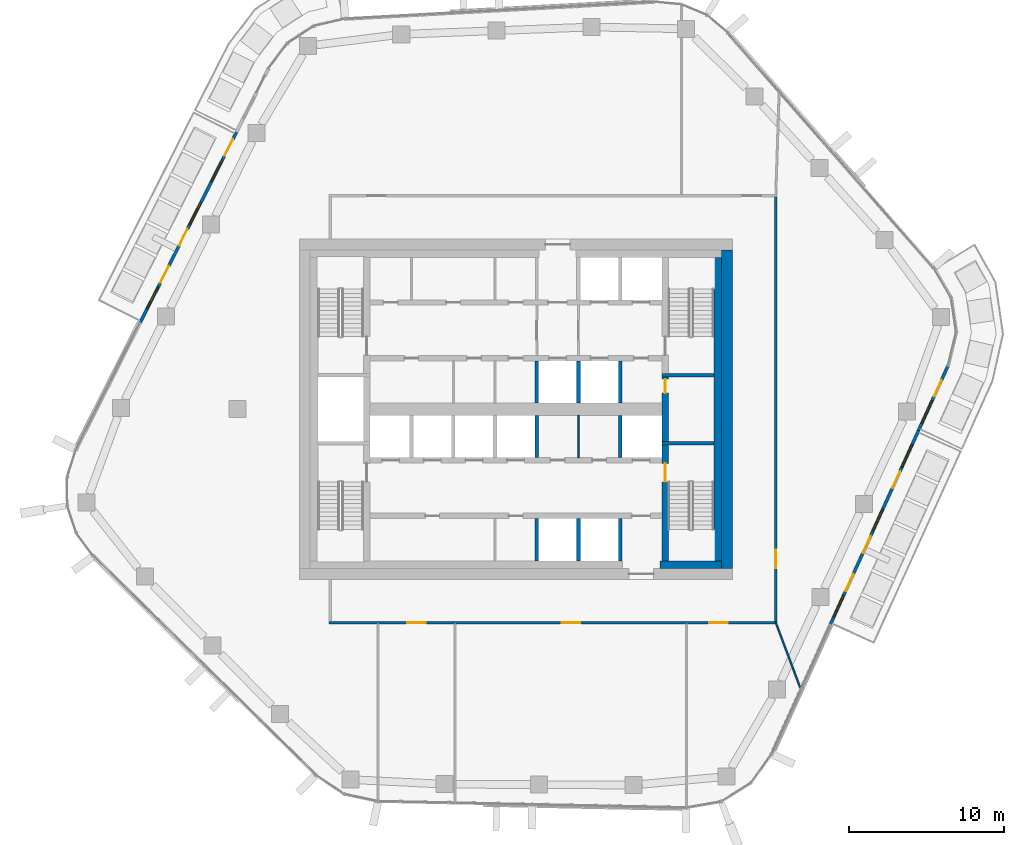
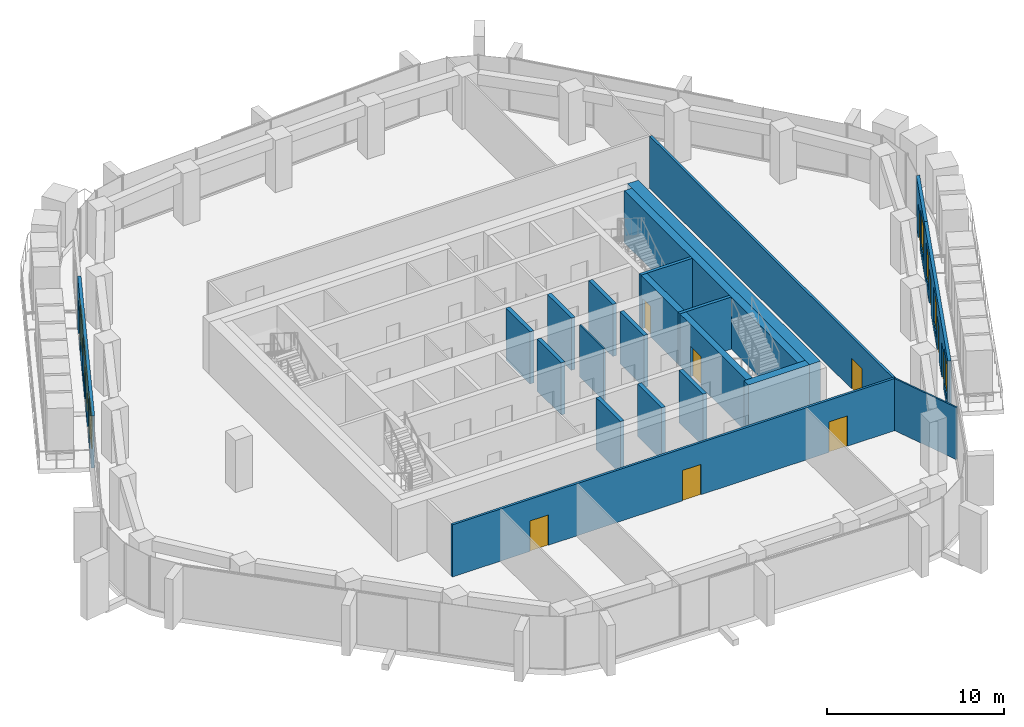
# One storey, part 12 of 21: 22 walls, 13 doors, 7 windows, 20 openings.
"""IFC4 building model written with IfcOpenShell, lengths in metres."""

from ifc_helpers import new_model, si_unit, direction, frame, frame_2d, origin, place, context, subcontext, project, spatial, rectangle, extrude, material, layer, layer_set, type_object, element, fill, save


model = new_model("IFC4")

# Units and contexts
model_context = context("Model", 3, precision=1e-05, world=origin(), true_north=direction((0.0, 1.0)))
body_context = subcontext(model_context, "Body", "Model", "MODEL_VIEW")
ifc_project = project(units=[si_unit("LENGTHUNIT", "METRE"), si_unit("AREAUNIT", "SQUARE_METRE"), si_unit("VOLUMEUNIT", "CUBIC_METRE"), si_unit("PLANEANGLEUNIT", "RADIAN"), si_unit("MASSUNIT", "GRAM", prefix="KILO")], contexts=[model_context])

# Site, building, storey
site_placement = place(None, origin())
site = spatial("IfcSite", under=ifc_project, at=site_placement, CompositionType="ELEMENT")
building_placement = place(site_placement, origin())
building = spatial("IfcBuilding", under=site, at=building_placement, Name="Dongbaek Canopy Tower", CompositionType="ELEMENT")
storey_placement = place(building_placement, frame((0.0, 0.0, 279.0)))
storey = spatial("IfcBuildingStorey", under=building, at=storey_placement, Name="L59", CompositionType="ELEMENT", Elevation=279.0)

# Walls
ifc_material_1 = material(Name="Concrete C70/85", Category="concrete")
ifc_layer_1 = layer(ifc_material_1, 0.699951171875)
ifc_layer_set_1 = layer_set([ifc_layer_1], Name="Core outer wall 700 Concrete C70/85")
wall_type_1 = type_object("IfcWallType", Name="Core outer wall 700 Concrete C70/85", PredefinedType="SHEAR", material=ifc_layer_set_1)
wall_1_placement = place(storey_placement, frame((13.64990234375, 10.300048828125, 0.0), z_axis=(0.0, 0.0, 1.0), x_axis=(0.0, -1.0, 0.0)))
element("IfcWall", 1, at=wall_1_placement, inside=storey, type_object=wall_type_1, Name="Core wall", PredefinedType="SHEAR", context=body_context, shape_type="SweptSolid", body=[
    extrude(rectangle(XDim=20.60009765625, YDim=0.699951171875, at=frame_2d((10.300048828125, 0.0))), origin(), (0.0, 0.0, 1.0), 3.60009765625),
])
ifc_material_2 = material(Name="Concrete C60/75", Category="concrete")
ifc_layer_2 = layer(ifc_material_2, 0.5)
ifc_layer_set_2 = layer_set([ifc_layer_2], Name="Core wall lining 500 Concrete C60/75")
wall_type_2 = type_object("IfcWallType", Name="Core wall lining 500 Concrete C60/75", PredefinedType="SHEAR", material=ifc_layer_set_2)
wall_2_placement = place(storey_placement, frame((13.300048828125, -10.050048828125, 0.0), z_axis=(0.0, 0.0, 1.0), x_axis=(-1.0, 0.0, 0.0)))
element("IfcWall", 2, at=wall_2_placement, inside=storey, type_object=wall_type_2, Name="Core wall lining", PredefinedType="SHEAR", context=body_context, shape_type="SweptSolid", body=[
    extrude(rectangle(XDim=4.0, YDim=0.5, at=frame_2d((2.0, 0.0))), origin(), (0.0, 0.0, 1.0), 3.60009765625),
])
wall_3_placement = place(storey_placement, frame((13.050048828125, 9.800048828125, 0.0), z_axis=(0.0, 0.0, 1.0), x_axis=(0.0, -1.0, 0.0)))
element("IfcWall", 3, at=wall_3_placement, inside=storey, type_object=wall_type_2, Name="Core wall lining", PredefinedType="SHEAR", context=body_context, shape_type="SweptSolid", body=[
    extrude(rectangle(XDim=19.60009765625, YDim=0.5, at=frame_2d((9.800048828125, 0.0))), origin(), (0.0, 0.0, 1.0), 3.60009765625),
])

# Wall, openings, doors
ifc_material_3 = material(Name="Gypsum board partition, steel stud, 2 x 15 mm fire board", Category="steel")
ifc_layer_3 = layer(ifc_material_3, 0.14990234375)
ifc_layer_set_3 = layer_set([ifc_layer_3], Name="Fire-rated partition 150 gypsum board")
wall_type_3 = type_object("IfcWallType", Name="Fire-rated partition 150 gypsum board", PredefinedType="PARTITIONING", material=ifc_layer_set_3)
wall_4_placement = place(storey_placement, frame((16.875, -13.800048828125, 0.0), z_axis=(0.0, 0.0, 1.0), x_axis=(-1.0, 0.0, 0.0)))
wall_4 = element("IfcWall", 4, at=wall_4_placement, inside=storey, type_object=wall_type_3, Name="Corridor partition", PredefinedType="PARTITIONING", context=body_context, shape_type="SweptSolid", body=[
    extrude(rectangle(XDim=28.949951171875, YDim=0.14990234375, at=frame_2d((14.47509765625, 0.0))), origin(), (0.0, 0.0, 1.0), 3.60009765625),
])
opening_1_placement = place(wall_4_placement, frame((22.69775390625, 0.0, 0.0)))
opening_1 = element("IfcOpeningElement", 5, at=opening_1_placement, cuts=wall_4, Name="Opening L59-D001", PredefinedType="OPENING", context=body_context, shape_type="SweptSolid", body=[
    extrude(rectangle(XDim=1.199951171875, YDim=2.10009765625, at=frame_2d((0.60009765625, 1.050048828125))), frame((0.0, 0.0849609375, 0.0), z_axis=(0.0, -1.0, 0.0), x_axis=(1.0, 0.0, 0.0)), (0.0, 0.0, 1.0), 0.169921875),
])
opening_2_placement = place(wall_4_placement, frame((12.727294921875, 0.0, 0.0)))
opening_2 = element("IfcOpeningElement", 6, at=opening_2_placement, cuts=wall_4, Name="Opening L59-D002", PredefinedType="OPENING", context=body_context, shape_type="SweptSolid", body=[
    extrude(rectangle(XDim=1.199951171875, YDim=2.10009765625, at=frame_2d((0.60009765625, 1.050048828125))), frame((0.0, 0.0849609375, 0.0), z_axis=(0.0, -1.0, 0.0), x_axis=(1.0, 0.0, 0.0)), (0.0, 0.0, 1.0), 0.169921875),
])
opening_3_placement = place(wall_4_placement, frame((3.16748046875, 0.0, 0.0)))
opening_3 = element("IfcOpeningElement", 7, at=opening_3_placement, cuts=wall_4, Name="Opening L59-D003", PredefinedType="OPENING", context=body_context, shape_type="SweptSolid", body=[
    extrude(rectangle(XDim=1.199951171875, YDim=2.10009765625, at=frame_2d((0.60009765625, 1.050048828125))), frame((0.0, 0.0849609375, 0.0), z_axis=(0.0, -1.0, 0.0), x_axis=(1.0, 0.0, 0.0)), (0.0, 0.0, 1.0), 0.169921875),
])
ifc_material_4 = material(Name="Timber veneered door leaf", Category="wood")
door_type_1 = type_object("IfcDoorType", Name="Room door 1200 x 2100", OperationType="SINGLE_SWING_LEFT", PredefinedType="DOOR", material=ifc_material_4)
door_1_placement = place(opening_1_placement, origin())
door_1 = element("IfcDoor", 8, at=door_1_placement, inside=storey, type_object=door_type_1, Name="Door L59-D001", OperationType="SINGLE_SWING_RIGHT", OverallHeight=2.10009765625, OverallWidth=1.199951171875, PredefinedType="DOOR", context=body_context, shape_type="SweptSolid", body=[
    extrude(rectangle(XDim=1.199951171875, YDim=2.10009765625, at=frame_2d((0.60009765625, 1.050048828125))), frame((0.0, 0.02490234375, 0.0), z_axis=(0.0, -1.0, 0.0), x_axis=(1.0, 0.0, 0.0)), (0.0, 0.0, 1.0), 0.050048828125),
])
fill(opening_1, door_1)
door_2_placement = place(opening_2_placement, origin())
door_2 = element("IfcDoor", 9, at=door_2_placement, inside=storey, type_object=door_type_1, Name="Door L59-D002", OperationType="SINGLE_SWING_LEFT", OverallHeight=2.10009765625, OverallWidth=1.199951171875, PredefinedType="DOOR", context=body_context, shape_type="SweptSolid", body=[
    extrude(rectangle(XDim=1.199951171875, YDim=2.10009765625, at=frame_2d((0.60009765625, 1.050048828125))), frame((0.0, 0.02490234375, 0.0), z_axis=(0.0, -1.0, 0.0), x_axis=(1.0, 0.0, 0.0)), (0.0, 0.0, 1.0), 0.050048828125),
])
fill(opening_2, door_2)
door_3_placement = place(opening_3_placement, origin())
door_3 = element("IfcDoor", 10, at=door_3_placement, inside=storey, type_object=door_type_1, Name="Door L59-D003", OperationType="SINGLE_SWING_RIGHT", OverallHeight=2.10009765625, OverallWidth=1.199951171875, PredefinedType="DOOR", context=body_context, shape_type="SweptSolid", body=[
    extrude(rectangle(XDim=1.199951171875, YDim=2.10009765625, at=frame_2d((0.60009765625, 1.050048828125))), frame((0.0, 0.02490234375, 0.0), z_axis=(0.0, -1.0, 0.0), x_axis=(1.0, 0.0, 0.0)), (0.0, 0.0, 1.0), 0.050048828125),
])
fill(opening_3, door_3)

# Wall, opening, door
wall_5_placement = place(storey_placement, frame((16.800048828125, 13.72509765625, 0.0), z_axis=(0.0, 0.0, 1.0), x_axis=(0.0, -1.0, 0.0)))
wall_5 = element("IfcWall", 11, at=wall_5_placement, inside=storey, type_object=wall_type_3, Name="Corridor partition", PredefinedType="PARTITIONING", context=body_context, shape_type="SweptSolid", body=[
    extrude(rectangle(XDim=27.4501953125, YDim=0.14990234375, at=frame_2d((13.72509765625, 0.0))), origin(), (0.0, 0.0, 1.0), 3.60009765625),
])
opening_4_placement = place(wall_5_placement, frame((22.803466796875, 0.0, 0.0)))
opening_4 = element("IfcOpeningElement", 12, at=opening_4_placement, cuts=wall_5, Name="Opening L59-D004", PredefinedType="OPENING", context=body_context, shape_type="SweptSolid", body=[
    extrude(rectangle(XDim=1.199951171875, YDim=2.10009765625, at=frame_2d((0.60009765625, 1.050048828125))), frame((0.0, 0.0849609375, 0.0), z_axis=(0.0, -1.0, 0.0), x_axis=(1.0, 0.0, 0.0)), (0.0, 0.0, 1.0), 0.169921875),
])
door_4_placement = place(opening_4_placement, origin())
door_4 = element("IfcDoor", 13, at=door_4_placement, inside=storey, type_object=door_type_1, Name="Door L59-D004", OperationType="SINGLE_SWING_LEFT", OverallHeight=2.10009765625, OverallWidth=1.199951171875, PredefinedType="DOOR", context=body_context, shape_type="SweptSolid", body=[
    extrude(rectangle(XDim=1.199951171875, YDim=2.10009765625, at=frame_2d((0.60009765625, 1.050048828125))), frame((0.0, 0.02490234375, 0.0), z_axis=(0.0, -1.0, 0.0), x_axis=(1.0, 0.0, 0.0)), (0.0, 0.0, 1.0), 0.050048828125),
])
fill(opening_4, door_4)

# Walls
ifc_material_5 = material(Name="Concrete C40/50", Category="concrete")
ifc_layer_4 = layer(ifc_material_5, 0.25)
ifc_layer_set_4 = layer_set([ifc_layer_4], Name="Lift shaft wall 250 Concrete C40/50")
wall_type_4 = type_object("IfcWallType", Name="Lift shaft wall 250 Concrete C40/50", PredefinedType="SOLIDWALL", material=ifc_layer_set_4)
for number, where, z_axis, x_axis, name in (
    (14, (6.75, -9.800048828125, 0.0), (0.0, 0.0, 1.0), (0.0, 1.0, 0.0), "Lift shaft wall"),
    (15, (6.75, -3.125, 0.0), (0.0, 0.0, 1.0), (0.0, 1.0, 0.0), "Lift shaft wall"),
    (16, (6.75, 0.39990234375, 0.0), (0.0, 0.0, 1.0), (0.0, 1.0, 0.0), "Lift shaft wall"),
    (17, (4.050048828125, -9.800048828125, 0.0), (0.0, 0.0, 1.0), (0.0, 1.0, 0.0), "Lift shaft wall"),
    (18, (4.050048828125, 0.39990234375, 0.0), (0.0, 0.0, 1.0), (0.0, 1.0, 0.0), "Lift shaft wall"),
    (19, (1.35009765625, -9.800048828125, 0.0), (0.0, 0.0, 1.0), (0.0, 1.0, 0.0), "Lift shaft wall"),
    (20, (1.35009765625, -3.125, 0.0), (0.0, 0.0, 1.0), (0.0, 1.0, 0.0), "Lift shaft wall"),
    (21, (1.35009765625, 0.39990234375, 0.0), (0.0, 0.0, 1.0), (0.0, 1.0, 0.0), "Lift shaft wall"),
):
    element("IfcWall", number, at=place(storey_placement, frame(where, z_axis=z_axis, x_axis=x_axis)), inside=storey, type_object=wall_type_4, Name=name, PredefinedType="SOLIDWALL", context=body_context, shape_type="SweptSolid", body=[
        extrude(rectangle(XDim=2.72509765625, YDim=0.25, at=frame_2d((1.362548828125, 0.0))), origin(), (0.0, 0.0, 1.0), 3.60009765625),
    ])
ifc_material_6 = material(Name="Gypsum board partition, steel stud, 2 x 12.5 mm board", Category="steel")
ifc_layer_5 = layer(ifc_material_6, 0.10009765625)
ifc_layer_set_5 = layer_set([ifc_layer_5], Name="Partition 100 gypsum board")
wall_type_5 = type_object("IfcWallType", Name="Partition 100 gypsum board", PredefinedType="PARTITIONING", material=ifc_layer_set_5)
wall_6_placement = place(storey_placement, frame((16.80029296875, -13.7998046875, 0.0), z_axis=(0.0, 0.0, 1.0), x_axis=(0.352127226584, -0.935952144235, 0.0)))
element("IfcWall", 22, at=wall_6_placement, inside=storey, type_object=wall_type_5, Name="Partition", PredefinedType="PARTITIONING", context=body_context, shape_type="SweptSolid", body=[
    extrude(rectangle(XDim=4.58349609375, YDim=0.10009765625, at=frame_2d((2.291748046875, 0.0))), origin(), (0.0, 0.0, 1.0), 3.60009765625),
])
wall_7_placement = place(storey_placement, frame((4.050048828125, -3.125, 0.0), z_axis=(0.0, 0.0, 1.0), x_axis=(0.0, 1.0, 0.0)))
element("IfcWall", 23, at=wall_7_placement, inside=storey, type_object=wall_type_5, Name="Core partition", PredefinedType="PARTITIONING", context=body_context, shape_type="SweptSolid", body=[
    extrude(rectangle(XDim=2.72509765625, YDim=0.10009765625, at=frame_2d((1.362548828125, 0.0))), origin(), (0.0, 0.0, 1.0), 3.60009765625),
])
ifc_material_7 = material(Name="Concrete C60/75", Category="concrete")
ifc_layer_6 = layer(ifc_material_7, 0.199951171875)
ifc_layer_set_6 = layer_set([ifc_layer_6], Name="Riser wall 200 Concrete C60/75")
wall_type_6 = type_object("IfcWallType", Name="Riser wall 200 Concrete C60/75", PredefinedType="SHEAR", material=ifc_layer_set_6)
for number, where, z_axis, x_axis, name in (
    (24, (9.449951171875, 2.199951171875, 0.0), (0.0, 0.0, 1.0), (1.0, 0.0, 0.0), "Riser wall"),
    (25, (9.449951171875, -2.199951171875, 0.0), (0.0, 0.0, 1.0), (1.0, 0.0, 0.0), "Riser wall"),
):
    element("IfcWall", number, at=place(storey_placement, frame(where, z_axis=z_axis, x_axis=x_axis)), inside=storey, type_object=wall_type_6, Name=name, PredefinedType="SHEAR", context=body_context, shape_type="SweptSolid", body=[
        extrude(rectangle(XDim=3.35009765625, YDim=0.199951171875, at=frame_2d((1.675048828125, 0.0))), origin(), (0.0, 0.0, 1.0), 3.60009765625),
    ])

# Wall, opening, door
ifc_material_8 = material(Name="Concrete C60/75", Category="concrete")
ifc_layer_7 = layer(ifc_material_8, 0.39990234375)
ifc_layer_set_7 = layer_set([ifc_layer_7], Name="Stair wall 400 Concrete C60/75")
wall_type_7 = type_object("IfcWallType", Name="Stair wall 400 Concrete C60/75", PredefinedType="SHEAR", material=ifc_layer_set_7)
wall_8_placement = place(storey_placement, frame((9.64990234375, -2.300048828125, 0.0), z_axis=(0.0, 0.0, 1.0), x_axis=(0.0, -1.0, 0.0)))
wall_8 = element("IfcWall", 26, at=wall_8_placement, inside=storey, type_object=wall_type_7, Name="Stair wall", PredefinedType="SHEAR", context=body_context, shape_type="SweptSolid", body=[
    extrude(rectangle(XDim=7.5, YDim=0.39990234375, at=frame_2d((3.75, 0.0))), origin(), (0.0, 0.0, 1.0), 3.60009765625),
])
opening_5_placement = place(wall_8_placement, frame((1.199951171875, 0.0, 0.0)))
opening_5 = element("IfcOpeningElement", 27, at=opening_5_placement, cuts=wall_8, Name="Opening L59-D034", PredefinedType="OPENING", context=body_context, shape_type="SweptSolid", body=[
    extrude(rectangle(XDim=1.199951171875, YDim=2.10009765625, at=frame_2d((0.60009765625, 1.050048828125))), frame((0.0, 0.2099609375, 0.0), z_axis=(0.0, -1.0, 0.0), x_axis=(1.0, 0.0, 0.0)), (0.0, 0.0, 1.0), 0.419921875),
])
ifc_material_9 = material(Name="Steel", Category="steel")
door_type_2 = type_object("IfcDoorType", Name="Stair door 1200 x 2100", OperationType="SINGLE_SWING_LEFT", PredefinedType="DOOR", material=ifc_material_9)
door_5_placement = place(opening_5_placement, origin())
door_5 = element("IfcDoor", 28, at=door_5_placement, inside=storey, type_object=door_type_2, Name="Stair B door", OperationType="SINGLE_SWING_RIGHT", OverallHeight=2.10009765625, OverallWidth=1.199951171875, PredefinedType="DOOR", context=body_context, shape_type="SweptSolid", body=[
    extrude(rectangle(XDim=1.199951171875, YDim=2.10009765625, at=frame_2d((0.60009765625, 1.050048828125))), frame((0.0, 0.02490234375, 0.0), z_axis=(0.0, -1.0, 0.0), x_axis=(1.0, 0.0, 0.0)), (0.0, 0.0, 1.0), 0.050048828125),
])
fill(opening_5, door_5)

wall_9_placement = place(storey_placement, frame((9.64990234375, 2.10009765625, 0.0), z_axis=(0.0, 0.0, 1.0), x_axis=(0.0, -1.0, 0.0)))
wall_9 = element("IfcWall", 29, at=wall_9_placement, inside=storey, type_object=wall_type_7, Name="Stair wall", PredefinedType="SHEAR", context=body_context, shape_type="SweptSolid", body=[
    extrude(rectangle(XDim=4.2001953125, YDim=0.39990234375, at=frame_2d((2.10009765625, 0.0))), origin(), (0.0, 0.0, 1.0), 3.60009765625),
])
opening_6_placement = place(wall_9_placement, frame((0.14990234375, 0.0, 0.0)))
opening_6 = element("IfcOpeningElement", 30, at=opening_6_placement, cuts=wall_9, Name="Opening L59-D007", PredefinedType="OPENING", context=body_context, shape_type="SweptSolid", body=[
    extrude(rectangle(XDim=0.89990234375, YDim=2.10009765625, at=frame_2d((0.449951171875, 1.050048828125))), frame((0.0, 0.2099609375, 0.0), z_axis=(0.0, -1.0, 0.0), x_axis=(1.0, 0.0, 0.0)), (0.0, 0.0, 1.0), 0.419921875),
])
ifc_material_10 = material(Name="Steel", Category="steel")
door_type_3 = type_object("IfcDoorType", Name="Core room door 900 x 2100", OperationType="SINGLE_SWING_LEFT", PredefinedType="DOOR", material=ifc_material_10)
door_6_placement = place(opening_6_placement, origin())
door_6 = element("IfcDoor", 31, at=door_6_placement, inside=storey, type_object=door_type_3, Name="Door L59-D007", OperationType="SINGLE_SWING_RIGHT", OverallHeight=2.10009765625, OverallWidth=0.89990234375, PredefinedType="DOOR", context=body_context, shape_type="SweptSolid", body=[
    extrude(rectangle(XDim=0.89990234375, YDim=2.10009765625, at=frame_2d((0.449951171875, 1.050048828125))), frame((0.0, 0.02490234375, 0.0), z_axis=(0.0, -1.0, 0.0), x_axis=(1.0, 0.0, 0.0)), (0.0, 0.0, 1.0), 0.050048828125),
])
fill(opening_6, door_6)

# Wall, openings, doors, windows
ifc_material_11 = material(Name="Aluminium window wall", Category="aluminium")
ifc_layer_8 = layer(ifc_material_11, 0.199951171875)
ifc_layer_set_8 = layer_set([ifc_layer_8], Name="Window wall 200")
wall_type_8 = type_object("IfcWallType", Name="Window wall 200", PredefinedType="SOLIDWALL", material=ifc_layer_set_8)
wall_10_placement = place(storey_placement, frame((-18.0751953125, 17.911376953125, 0.0), z_axis=(0.0, 0.0, 1.0), x_axis=(-0.451050759816, -0.892498298076, 0.0)))
wall_10 = element("IfcWall", 32, at=wall_10_placement, inside=storey, type_object=wall_type_8, Name="Window wall L59 1", PredefinedType="SOLIDWALL", context=body_context, shape_type="SweptSolid", body=[
    extrude(rectangle(XDim=13.8046875, YDim=0.199951171875, at=frame_2d((6.90234375, 0.0))), origin(), (0.0, 0.0, 1.0), 3.60009765625),
])
opening_7_placement = place(wall_10_placement, frame((2.0, 0.0, 0.60009765625)))
opening_7 = element("IfcOpeningElement", 33, at=opening_7_placement, cuts=wall_10, Name="Opening W1", PredefinedType="OPENING", context=body_context, shape_type="SweptSolid", body=[
    extrude(rectangle(XDim=1.60009765625, YDim=2.39990234375, at=frame_2d((0.800048828125, 1.199951171875))), frame((0.0, 0.10986328125, 0.0), z_axis=(0.0, -1.0, 0.0), x_axis=(1.0, 0.0, 0.0)), (0.0, 0.0, 1.0), 0.219970703125),
])
opening_8_placement = place(wall_10_placement, frame((0.5, 0.0, 0.0)))
opening_8 = element("IfcOpeningElement", 34, at=opening_8_placement, cuts=wall_10, Name="Opening L59-B01", PredefinedType="OPENING", context=body_context, shape_type="SweptSolid", body=[
    extrude(rectangle(XDim=1.199951171875, YDim=2.39990234375, at=frame_2d((0.60009765625, 1.199951171875))), frame((0.0, 0.10986328125, 0.0), z_axis=(0.0, -1.0, 0.0), x_axis=(1.0, 0.0, 0.0)), (0.0, 0.0, 1.0), 0.219970703125),
])
opening_9_placement = place(wall_10_placement, frame((5.1015625, 0.0, 0.60009765625)))
opening_9 = element("IfcOpeningElement", 35, at=opening_9_placement, cuts=wall_10, Name="Opening W1", PredefinedType="OPENING", context=body_context, shape_type="SweptSolid", body=[
    extrude(rectangle(XDim=1.60009765625, YDim=2.39990234375, at=frame_2d((0.800048828125, 1.199951171875))), frame((0.0, 0.10986328125, 0.0), z_axis=(0.0, -1.0, 0.0), x_axis=(1.0, 0.0, 0.0)), (0.0, 0.0, 1.0), 0.219970703125),
])
opening_10_placement = place(wall_10_placement, frame((7.00146484375, 0.0, 0.0)))
opening_10 = element("IfcOpeningElement", 36, at=opening_10_placement, cuts=wall_10, Name="Opening L59-B02", PredefinedType="OPENING", context=body_context, shape_type="SweptSolid", body=[
    extrude(rectangle(XDim=1.199951171875, YDim=2.39990234375, at=frame_2d((0.60009765625, 1.199951171875))), frame((0.0, 0.10986328125, 0.0), z_axis=(0.0, -1.0, 0.0), x_axis=(1.0, 0.0, 0.0)), (0.0, 0.0, 1.0), 0.219970703125),
])
opening_11_placement = place(wall_10_placement, frame((11.203125, 0.0, 0.60009765625)))
opening_11 = element("IfcOpeningElement", 37, at=opening_11_placement, cuts=wall_10, Name="Opening W1", PredefinedType="OPENING", context=body_context, shape_type="SweptSolid", body=[
    extrude(rectangle(XDim=1.60009765625, YDim=2.39990234375, at=frame_2d((0.800048828125, 1.199951171875))), frame((0.0, 0.10986328125, 0.0), z_axis=(0.0, -1.0, 0.0), x_axis=(1.0, 0.0, 0.0)), (0.0, 0.0, 1.0), 0.219970703125),
])
opening_12_placement = place(wall_10_placement, frame((9.703125, 0.0, 0.0)))
opening_12 = element("IfcOpeningElement", 38, at=opening_12_placement, cuts=wall_10, Name="Opening L59-B03", PredefinedType="OPENING", context=body_context, shape_type="SweptSolid", body=[
    extrude(rectangle(XDim=1.199951171875, YDim=2.39990234375, at=frame_2d((0.60009765625, 1.199951171875))), frame((0.0, 0.10986328125, 0.0), z_axis=(0.0, -1.0, 0.0), x_axis=(1.0, 0.0, 0.0)), (0.0, 0.0, 1.0), 0.219970703125),
])
ifc_material_12 = material(Name="Clear glazing in aluminium frame", Category="aluminium")
door_type_4 = type_object("IfcDoorType", Name="Balcony door BD1 1200 x 2400", OperationType="SLIDING_TO_LEFT", PredefinedType="DOOR", material=ifc_material_12)
door_7_placement = place(opening_8_placement, origin())
door_7 = element("IfcDoor", 39, at=door_7_placement, inside=storey, type_object=door_type_4, Name="Balcony door L59-B01", OperationType="SLIDING_TO_LEFT", OverallHeight=2.39990234375, OverallWidth=1.199951171875, PredefinedType="DOOR", context=body_context, shape_type="SweptSolid", body=[
    extrude(rectangle(XDim=1.199951171875, YDim=2.39990234375, at=frame_2d((0.60009765625, 1.199951171875))), frame((0.0, 0.02490234375, 0.0), z_axis=(0.0, -1.0, 0.0), x_axis=(1.0, 0.0, 0.0)), (0.0, 0.0, 1.0), 0.050048828125),
])
fill(opening_8, door_7)
door_8_placement = place(opening_10_placement, origin())
door_8 = element("IfcDoor", 40, at=door_8_placement, inside=storey, type_object=door_type_4, Name="Balcony door L59-B02", OperationType="SLIDING_TO_LEFT", OverallHeight=2.39990234375, OverallWidth=1.199951171875, PredefinedType="DOOR", context=body_context, shape_type="SweptSolid", body=[
    extrude(rectangle(XDim=1.199951171875, YDim=2.39990234375, at=frame_2d((0.60009765625, 1.199951171875))), frame((0.0, 0.02490234375, 0.0), z_axis=(0.0, -1.0, 0.0), x_axis=(1.0, 0.0, 0.0)), (0.0, 0.0, 1.0), 0.050048828125),
])
fill(opening_10, door_8)
door_9_placement = place(opening_12_placement, origin())
door_9 = element("IfcDoor", 41, at=door_9_placement, inside=storey, type_object=door_type_4, Name="Balcony door L59-B03", OperationType="SLIDING_TO_LEFT", OverallHeight=2.39990234375, OverallWidth=1.199951171875, PredefinedType="DOOR", context=body_context, shape_type="SweptSolid", body=[
    extrude(rectangle(XDim=1.199951171875, YDim=2.39990234375, at=frame_2d((0.60009765625, 1.199951171875))), frame((0.0, 0.02490234375, 0.0), z_axis=(0.0, -1.0, 0.0), x_axis=(1.0, 0.0, 0.0)), (0.0, 0.0, 1.0), 0.050048828125),
])
fill(opening_12, door_9)
ifc_material_13 = material(Name="Clear glazing in aluminium frame", Category="aluminium")
window_type = type_object("IfcWindowType", Name="Window W1 1600 x 2400", PartitioningType="SINGLE_PANEL", PredefinedType="WINDOW", material=ifc_material_13)
window_1_placement = place(opening_7_placement, origin())
window_1 = element("IfcWindow", 42, at=window_1_placement, inside=storey, type_object=window_type, Name="Window L59 1.1", OverallHeight=2.39990234375, OverallWidth=1.60009765625, PartitioningType="SINGLE_PANEL", PredefinedType="WINDOW", context=body_context, shape_type="SweptSolid", body=[
    extrude(rectangle(XDim=1.60009765625, YDim=2.39990234375, at=frame_2d((0.800048828125, 1.199951171875))), frame((0.0, 0.030029296875, 0.0), z_axis=(0.0, -1.0, 0.0), x_axis=(1.0, 0.0, 0.0)), (0.0, 0.0, 1.0), 0.06005859375),
])
fill(opening_7, window_1)
window_2_placement = place(opening_9_placement, origin())
window_2 = element("IfcWindow", 43, at=window_2_placement, inside=storey, type_object=window_type, Name="Window L59 1.2", OverallHeight=2.39990234375, OverallWidth=1.60009765625, PartitioningType="SINGLE_PANEL", PredefinedType="WINDOW", context=body_context, shape_type="SweptSolid", body=[
    extrude(rectangle(XDim=1.60009765625, YDim=2.39990234375, at=frame_2d((0.800048828125, 1.199951171875))), frame((0.0, 0.030029296875, 0.0), z_axis=(0.0, -1.0, 0.0), x_axis=(1.0, 0.0, 0.0)), (0.0, 0.0, 1.0), 0.06005859375),
])
fill(opening_9, window_2)
window_3_placement = place(opening_11_placement, origin())
window_3 = element("IfcWindow", 44, at=window_3_placement, inside=storey, type_object=window_type, Name="Window L59 1.3", OverallHeight=2.39990234375, OverallWidth=1.60009765625, PartitioningType="SINGLE_PANEL", PredefinedType="WINDOW", context=body_context, shape_type="SweptSolid", body=[
    extrude(rectangle(XDim=1.60009765625, YDim=2.39990234375, at=frame_2d((0.800048828125, 1.199951171875))), frame((0.0, 0.030029296875, 0.0), z_axis=(0.0, -1.0, 0.0), x_axis=(1.0, 0.0, 0.0)), (0.0, 0.0, 1.0), 0.06005859375),
])
fill(opening_11, window_3)

wall_11_placement = place(storey_placement, frame((20.327392578125, -13.929931640625, 0.0), z_axis=(0.0, 0.0, 1.0), x_axis=(0.413844275504, 0.91034768942, 0.0)))
wall_11 = element("IfcWall", 45, at=wall_11_placement, inside=storey, type_object=wall_type_8, Name="Window wall L59 2", PredefinedType="SOLIDWALL", context=body_context, shape_type="SweptSolid", body=[
    extrude(rectangle(XDim=13.796142578125, YDim=0.199951171875, at=frame_2d((6.89794921875, 0.0))), origin(), (0.0, 0.0, 1.0), 3.60009765625),
])
opening_13_placement = place(wall_11_placement, frame((0.5, 0.0, 0.60009765625)))
opening_13 = element("IfcOpeningElement", 46, at=opening_13_placement, cuts=wall_11, Name="Opening W1", PredefinedType="OPENING", context=body_context, shape_type="SweptSolid", body=[
    extrude(rectangle(XDim=1.60009765625, YDim=2.39990234375, at=frame_2d((0.800048828125, 1.199951171875))), frame((0.0, 0.10986328125, 0.0), z_axis=(0.0, -1.0, 0.0), x_axis=(1.0, 0.0, 0.0)), (0.0, 0.0, 1.0), 0.219970703125),
])
opening_14_placement = place(wall_11_placement, frame((2.39990234375, 0.0, 0.0)))
opening_14 = element("IfcOpeningElement", 47, at=opening_14_placement, cuts=wall_11, Name="Opening L59-B05", PredefinedType="OPENING", context=body_context, shape_type="SweptSolid", body=[
    extrude(rectangle(XDim=1.199951171875, YDim=2.39990234375, at=frame_2d((0.60009765625, 1.199951171875))), frame((0.0, 0.10986328125, 0.0), z_axis=(0.0, -1.0, 0.0), x_axis=(1.0, 0.0, 0.0)), (0.0, 0.0, 1.0), 0.219970703125),
])
opening_15_placement = place(wall_11_placement, frame((6.5986328125, 0.0, 0.60009765625)))
opening_15 = element("IfcOpeningElement", 48, at=opening_15_placement, cuts=wall_11, Name="Opening W1", PredefinedType="OPENING", context=body_context, shape_type="SweptSolid", body=[
    extrude(rectangle(XDim=1.60009765625, YDim=2.39990234375, at=frame_2d((0.800048828125, 1.199951171875))), frame((0.0, 0.10986328125, 0.0), z_axis=(0.0, -1.0, 0.0), x_axis=(1.0, 0.0, 0.0)), (0.0, 0.0, 1.0), 0.219970703125),
])
opening_16_placement = place(wall_11_placement, frame((5.0986328125, 0.0, 0.0)))
opening_16 = element("IfcOpeningElement", 49, at=opening_16_placement, cuts=wall_11, Name="Opening L59-B06", PredefinedType="OPENING", context=body_context, shape_type="SweptSolid", body=[
    extrude(rectangle(XDim=1.199951171875, YDim=2.39990234375, at=frame_2d((0.60009765625, 1.199951171875))), frame((0.0, 0.10986328125, 0.0), z_axis=(0.0, -1.0, 0.0), x_axis=(1.0, 0.0, 0.0)), (0.0, 0.0, 1.0), 0.219970703125),
])
opening_17_placement = place(wall_11_placement, frame((11.197509765625, 0.0, 0.60009765625)))
opening_17 = element("IfcOpeningElement", 50, at=opening_17_placement, cuts=wall_11, Name="Opening W1", PredefinedType="OPENING", context=body_context, shape_type="SweptSolid", body=[
    extrude(rectangle(XDim=1.60009765625, YDim=2.39990234375, at=frame_2d((0.800048828125, 1.199951171875))), frame((0.0, 0.10986328125, 0.0), z_axis=(0.0, -1.0, 0.0), x_axis=(1.0, 0.0, 0.0)), (0.0, 0.0, 1.0), 0.219970703125),
])
opening_18_placement = place(wall_11_placement, frame((9.697509765625, 0.0, 0.0)))
opening_18 = element("IfcOpeningElement", 51, at=opening_18_placement, cuts=wall_11, Name="Opening L59-B07", PredefinedType="OPENING", context=body_context, shape_type="SweptSolid", body=[
    extrude(rectangle(XDim=1.199951171875, YDim=2.39990234375, at=frame_2d((0.60009765625, 1.199951171875))), frame((0.0, 0.10986328125, 0.0), z_axis=(0.0, -1.0, 0.0), x_axis=(1.0, 0.0, 0.0)), (0.0, 0.0, 1.0), 0.219970703125),
])
door_10_placement = place(opening_14_placement, origin())
door_10 = element("IfcDoor", 52, at=door_10_placement, inside=storey, type_object=door_type_4, Name="Balcony door L59-B05", OperationType="SLIDING_TO_LEFT", OverallHeight=2.39990234375, OverallWidth=1.199951171875, PredefinedType="DOOR", context=body_context, shape_type="SweptSolid", body=[
    extrude(rectangle(XDim=1.199951171875, YDim=2.39990234375, at=frame_2d((0.60009765625, 1.199951171875))), frame((0.0, 0.02490234375, 0.0), z_axis=(0.0, -1.0, 0.0), x_axis=(1.0, 0.0, 0.0)), (0.0, 0.0, 1.0), 0.050048828125),
])
fill(opening_14, door_10)
door_11_placement = place(opening_16_placement, origin())
door_11 = element("IfcDoor", 53, at=door_11_placement, inside=storey, type_object=door_type_4, Name="Balcony door L59-B06", OperationType="SLIDING_TO_LEFT", OverallHeight=2.39990234375, OverallWidth=1.199951171875, PredefinedType="DOOR", context=body_context, shape_type="SweptSolid", body=[
    extrude(rectangle(XDim=1.199951171875, YDim=2.39990234375, at=frame_2d((0.60009765625, 1.199951171875))), frame((0.0, 0.02490234375, 0.0), z_axis=(0.0, -1.0, 0.0), x_axis=(1.0, 0.0, 0.0)), (0.0, 0.0, 1.0), 0.050048828125),
])
fill(opening_16, door_11)
door_12_placement = place(opening_18_placement, origin())
door_12 = element("IfcDoor", 54, at=door_12_placement, inside=storey, type_object=door_type_4, Name="Balcony door L59-B07", OperationType="SLIDING_TO_LEFT", OverallHeight=2.39990234375, OverallWidth=1.199951171875, PredefinedType="DOOR", context=body_context, shape_type="SweptSolid", body=[
    extrude(rectangle(XDim=1.199951171875, YDim=2.39990234375, at=frame_2d((0.60009765625, 1.199951171875))), frame((0.0, 0.02490234375, 0.0), z_axis=(0.0, -1.0, 0.0), x_axis=(1.0, 0.0, 0.0)), (0.0, 0.0, 1.0), 0.050048828125),
])
fill(opening_18, door_12)
window_4_placement = place(opening_13_placement, origin())
window_4 = element("IfcWindow", 55, at=window_4_placement, inside=storey, type_object=window_type, Name="Window L59 2.1", OverallHeight=2.39990234375, OverallWidth=1.60009765625, PartitioningType="SINGLE_PANEL", PredefinedType="WINDOW", context=body_context, shape_type="SweptSolid", body=[
    extrude(rectangle(XDim=1.60009765625, YDim=2.39990234375, at=frame_2d((0.800048828125, 1.199951171875))), frame((0.0, 0.030029296875, 0.0), z_axis=(0.0, -1.0, 0.0), x_axis=(1.0, 0.0, 0.0)), (0.0, 0.0, 1.0), 0.06005859375),
])
fill(opening_13, window_4)
window_5_placement = place(opening_15_placement, origin())
window_5 = element("IfcWindow", 56, at=window_5_placement, inside=storey, type_object=window_type, Name="Window L59 2.2", OverallHeight=2.39990234375, OverallWidth=1.60009765625, PartitioningType="SINGLE_PANEL", PredefinedType="WINDOW", context=body_context, shape_type="SweptSolid", body=[
    extrude(rectangle(XDim=1.60009765625, YDim=2.39990234375, at=frame_2d((0.800048828125, 1.199951171875))), frame((0.0, 0.030029296875, 0.0), z_axis=(0.0, -1.0, 0.0), x_axis=(1.0, 0.0, 0.0)), (0.0, 0.0, 1.0), 0.06005859375),
])
fill(opening_15, window_5)
window_6_placement = place(opening_17_placement, origin())
window_6 = element("IfcWindow", 57, at=window_6_placement, inside=storey, type_object=window_type, Name="Window L59 2.3", OverallHeight=2.39990234375, OverallWidth=1.60009765625, PartitioningType="SINGLE_PANEL", PredefinedType="WINDOW", context=body_context, shape_type="SweptSolid", body=[
    extrude(rectangle(XDim=1.60009765625, YDim=2.39990234375, at=frame_2d((0.800048828125, 1.199951171875))), frame((0.0, 0.030029296875, 0.0), z_axis=(0.0, -1.0, 0.0), x_axis=(1.0, 0.0, 0.0)), (0.0, 0.0, 1.0), 0.06005859375),
])
fill(opening_17, window_6)

# Wall, openings, door, window
wall_12_placement = place(storey_placement, frame((26.036865234375, -1.37060546875, 0.0), z_axis=(0.0, 0.0, 1.0), x_axis=(0.413839017619, 0.910350079637, 0.0)))
wall_12 = element("IfcWall", 58, at=wall_12_placement, inside=storey, type_object=wall_type_8, Name="Window wall L59 3", PredefinedType="SOLIDWALL", context=body_context, shape_type="SweptSolid", body=[
    extrude(rectangle(XDim=4.589111328125, YDim=0.199951171875, at=frame_2d((2.29443359375, 0.0))), origin(), (0.0, 0.0, 1.0), 3.60009765625),
])
opening_19_placement = place(wall_12_placement, frame((0.5, 0.0, 0.60009765625)))
opening_19 = element("IfcOpeningElement", 59, at=opening_19_placement, cuts=wall_12, Name="Opening W1", PredefinedType="OPENING", context=body_context, shape_type="SweptSolid", body=[
    extrude(rectangle(XDim=1.60009765625, YDim=2.39990234375, at=frame_2d((0.800048828125, 1.199951171875))), frame((0.0, 0.10986328125, 0.0), z_axis=(0.0, -1.0, 0.0), x_axis=(1.0, 0.0, 0.0)), (0.0, 0.0, 1.0), 0.219970703125),
])
opening_20_placement = place(wall_12_placement, frame((2.39990234375, 0.0, 0.0)))
opening_20 = element("IfcOpeningElement", 60, at=opening_20_placement, cuts=wall_12, Name="Opening L59-B08", PredefinedType="OPENING", context=body_context, shape_type="SweptSolid", body=[
    extrude(rectangle(XDim=1.199951171875, YDim=2.39990234375, at=frame_2d((0.60009765625, 1.199951171875))), frame((0.0, 0.10986328125, 0.0), z_axis=(0.0, -1.0, 0.0), x_axis=(1.0, 0.0, 0.0)), (0.0, 0.0, 1.0), 0.219970703125),
])
door_13_placement = place(opening_20_placement, origin())
door_13 = element("IfcDoor", 61, at=door_13_placement, inside=storey, type_object=door_type_4, Name="Balcony door L59-B08", OperationType="SLIDING_TO_LEFT", OverallHeight=2.39990234375, OverallWidth=1.199951171875, PredefinedType="DOOR", context=body_context, shape_type="SweptSolid", body=[
    extrude(rectangle(XDim=1.199951171875, YDim=2.39990234375, at=frame_2d((0.60009765625, 1.199951171875))), frame((0.0, 0.02490234375, 0.0), z_axis=(0.0, -1.0, 0.0), x_axis=(1.0, 0.0, 0.0)), (0.0, 0.0, 1.0), 0.050048828125),
])
fill(opening_20, door_13)
window_7_placement = place(opening_19_placement, origin())
window_7 = element("IfcWindow", 62, at=window_7_placement, inside=storey, type_object=window_type, Name="Window L59 3.1", OverallHeight=2.39990234375, OverallWidth=1.60009765625, PartitioningType="SINGLE_PANEL", PredefinedType="WINDOW", context=body_context, shape_type="SweptSolid", body=[
    extrude(rectangle(XDim=1.60009765625, YDim=2.39990234375, at=frame_2d((0.800048828125, 1.199951171875))), frame((0.0, 0.030029296875, 0.0), z_axis=(0.0, -1.0, 0.0), x_axis=(1.0, 0.0, 0.0)), (0.0, 0.0, 1.0), 0.06005859375),
])
fill(opening_19, window_7)

save(model, "model.ifc")
